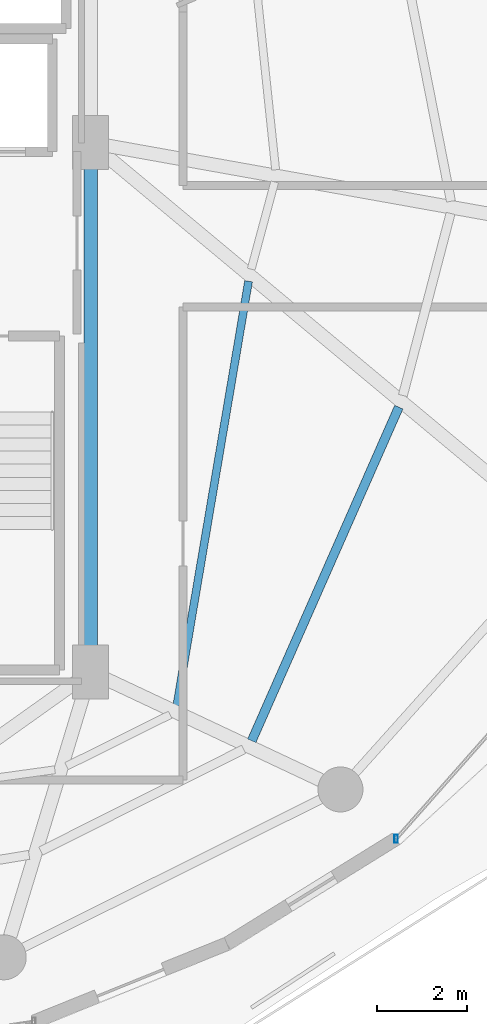
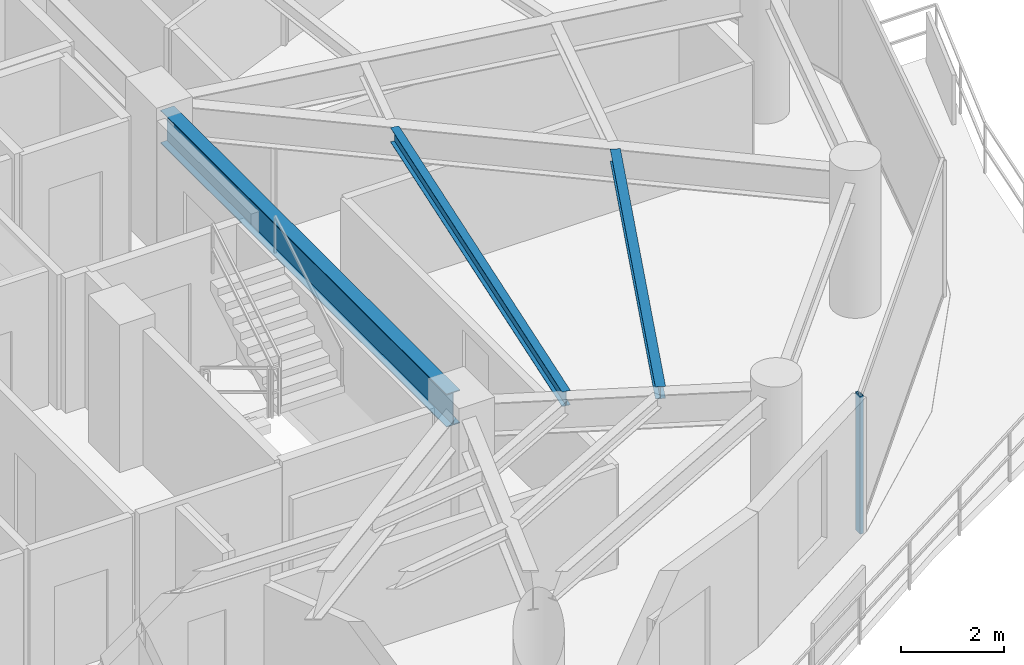
# One storey, part 12 of 29: 3 beams, 1 member, 1 element without a shape of its own.
"""IFC4 building model written with IfcOpenShell, lengths in metres."""

from ifc_helpers import new_model, si_unit, direction, frame, origin, origin_2d, place, context, subcontext, project, spatial, hollow_rectangle, i_section, extrude, material, material_profile, profile_set, type_object, element, aggregate, save


model = new_model("IFC4")

# Units and contexts
model_context = context("Model", 3, precision=1e-05, world=origin(), true_north=direction((0.0, 1.0)))
body_context = subcontext(model_context, "Body", "Model", "MODEL_VIEW")
ifc_project = project(units=[si_unit("LENGTHUNIT", "METRE"), si_unit("AREAUNIT", "SQUARE_METRE"), si_unit("VOLUMEUNIT", "CUBIC_METRE"), si_unit("PLANEANGLEUNIT", "RADIAN"), si_unit("MASSUNIT", "GRAM", prefix="KILO")], contexts=[model_context])

# Site, building, storey
site_placement = place(None, origin())
site = spatial("IfcSite", under=ifc_project, at=site_placement, CompositionType="ELEMENT")
building_placement = place(site_placement, origin())
building = spatial("IfcBuilding", under=site, at=building_placement, Name="Vorneva Point Tower", CompositionType="ELEMENT")
storey_placement = place(building_placement, frame((0.0, 0.0, 171.10009765625)))
storey = spatial("IfcBuildingStorey", under=building, at=storey_placement, Name="L46", CompositionType="ELEMENT", Elevation=171.10009765625)

# Beams
ifc_material_1 = material(Name="Steel S355", Category="steel")
ifc_material_profile_1 = material_profile(ifc_material_1, i_section(OverallWidth=0.300048828125, OverallDepth=0.7880859375, WebThickness=0.014404296875, FlangeThickness=0.02197265625, at=origin_2d()), Name="80Sh1")
ifc_profile_set_1 = profile_set([ifc_material_profile_1], Name="Steel S355")
beam_type_1 = type_object("IfcBeamType", Name="BM-GRD-80Sh1", PredefinedType="USERDEFINED", material=ifc_profile_set_1)
beam_1_placement = place(storey_placement, frame((48.75, 16.77001953125, 2.805908203125), z_axis=(0.0, 1.0, 0.0), x_axis=(-1.0, 0.0, 0.0)))
element("IfcBeam", 1, at=beam_1_placement, inside=storey, type_object=beam_type_1, Name="L46 Core Tie Girder CT3", ObjectType="GIRDER", PredefinedType="USERDEFINED", context=body_context, shape_type="SweptSolid", body=[
    extrude(i_section(OverallWidth=0.300048828125, OverallDepth=0.7880859375, WebThickness=0.014404296875, FlangeThickness=0.02197265625, at=origin_2d()), origin(), (0.0, 0.0, 1.0), 11.10986328125),
])
ifc_material_profile_2 = material_profile(ifc_material_1, i_section(OverallWidth=0.199951171875, OverallDepth=0.291015625, WebThickness=0.008056640625, FlangeThickness=0.010986328125, at=origin_2d()), Name="30Sh1")
ifc_profile_set_2 = profile_set([ifc_material_profile_2], Name="Steel S355")
beam_type_2 = type_object("IfcBeamType", Name="BM-SEC-30Sh1", PredefinedType="BEAM", material=ifc_profile_set_2)
beam_2_placement = place(storey_placement, frame((52.3291015625, 14.91748046875, 3.054443359375), z_axis=(0.403294264682, 0.915070344878, 0.0), x_axis=(-0.915070344878, 0.403294264682, 0.0)))
element("IfcBeam", 2, at=beam_2_placement, inside=storey, type_object=beam_type_2, Name="L46 Secondary Floor Beam 1.15", PredefinedType="BEAM", context=body_context, shape_type="SweptSolid", body=[
    extrude(i_section(OverallWidth=0.199951171875, OverallDepth=0.291015625, WebThickness=0.008056640625, FlangeThickness=0.010986328125, at=origin_2d()), origin(), (0.0, 0.0, 1.0), 8.097412109375),
])
ifc_material_profile_3 = material_profile(ifc_material_1, i_section(OverallWidth=0.174072265625, OverallDepth=0.345947265625, WebThickness=0.006103515625, FlangeThickness=0.009033203125, at=origin_2d()), Name="35B1")
ifc_profile_set_3 = profile_set([ifc_material_profile_3], Name="Steel S355")
beam_type_3 = type_object("IfcBeamType", Name="BM-SEC-35B1", PredefinedType="BEAM", material=ifc_profile_set_3)
beam_3_placement = place(storey_placement, frame((50.66455078125, 15.695556640625, 3.02685546875), z_axis=(0.166688356069, 0.98600963076, 0.0), x_axis=(-0.98600963076, 0.166688356069, 0.0)))
element("IfcBeam", 3, at=beam_3_placement, inside=storey, type_object=beam_type_3, Name="L46 Secondary Floor Beam 2.15", PredefinedType="BEAM", context=body_context, shape_type="SweptSolid", body=[
    extrude(i_section(OverallWidth=0.174072265625, OverallDepth=0.345947265625, WebThickness=0.006103515625, FlangeThickness=0.009033203125, at=origin_2d()), origin(), (0.0, 0.0, 1.0), 9.561279296875),
])

# Curtain wall, member
ifc_material_2 = material(Name="Pale anodised aluminium", Category="aluminium")
curtain_wall_type = type_object("IfcCurtainWallType", Name="CW-RES-SYS", PredefinedType="NOTDEFINED", material=ifc_material_2)
curtain_wall_placement = place(storey_placement, origin())
curtain_wall = element("IfcCurtainWall", 4, at=curtain_wall_placement, inside=storey, type_object=curtain_wall_type, Name="L46 Unitised Curtain Wall CW-L46-R01", PredefinedType="NOTDEFINED")
ifc_material_profile_4 = material_profile(ifc_material_2, hollow_rectangle(XDim=0.074951171875, YDim=0.179931640625, WallThickness=0.00390625, at=origin_2d()), Name="AL-MUL 180x75x4")
ifc_profile_set_4 = profile_set([ifc_material_profile_4], Name="Pale anodised aluminium")
member_type = type_object("IfcMemberType", Name="CW-MUL-180", PredefinedType="MULLION", material=ifc_profile_set_4)
member_placement = place(storey_placement, frame((55.5361328125, 12.74169921875, -0.0400390625), z_axis=(0.0, 0.0, 1.0), x_axis=(1.0, 0.0, 0.0)))
member = element("IfcMember", 5, at=member_placement, type_object=member_type, Name="CW-L46-R01 Mullion 01", PredefinedType="MULLION", context=body_context, shape_type="SweptSolid", body=[
    extrude(hollow_rectangle(XDim=0.074951171875, YDim=0.179931640625, WallThickness=0.00390625, at=origin_2d()), origin(), (0.0, 0.0, 1.0), 3.27001953125),
])
aggregate(curtain_wall, [member])

save(model, "model.ifc")
